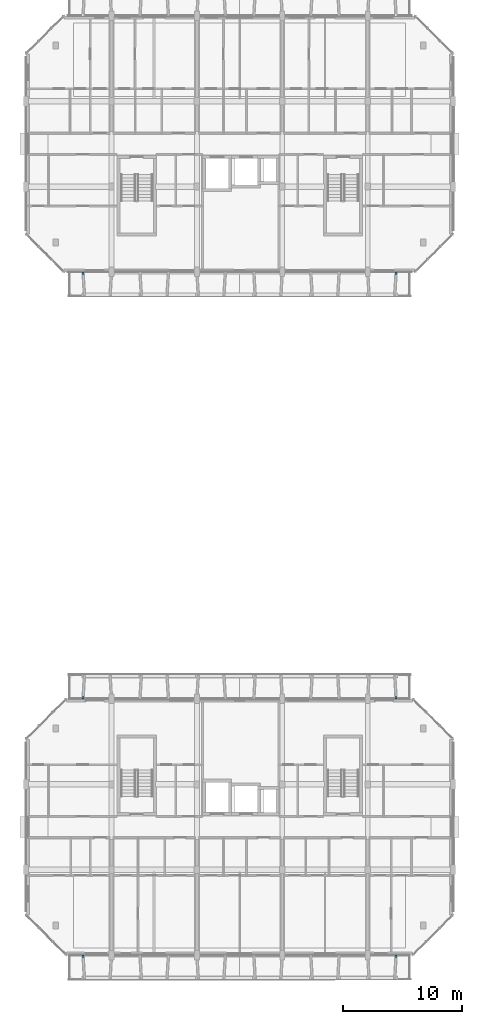
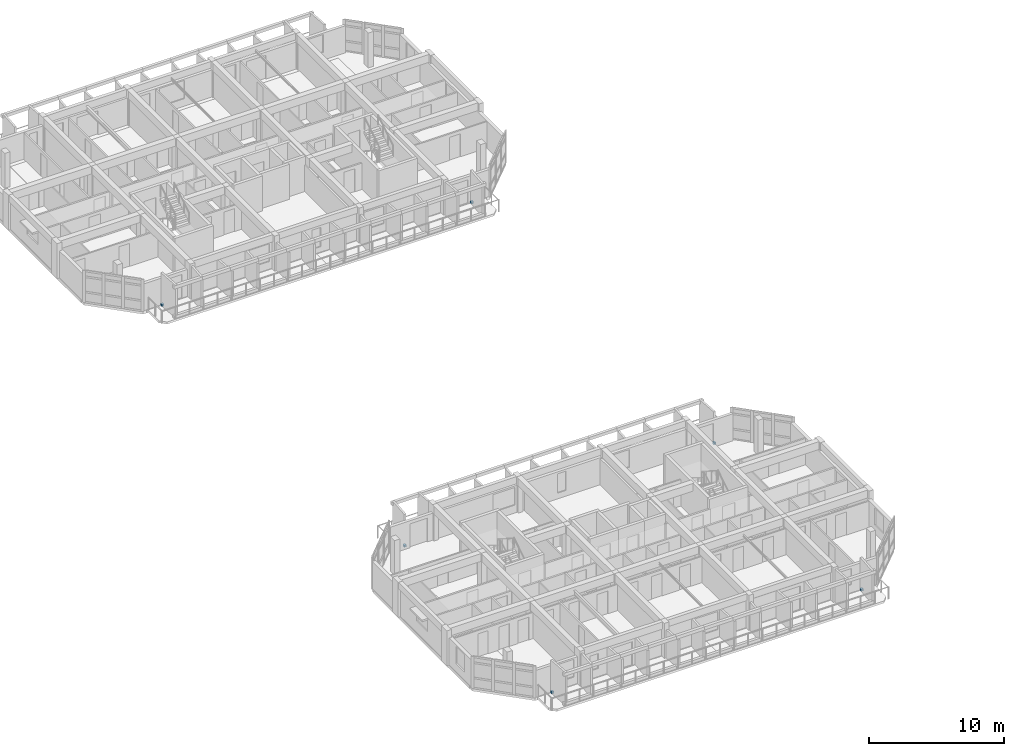
# One storey, part 30 of 44: 6 discrete accessories.
"""IFC4 building model written with IfcOpenShell, lengths in metres."""

from ifc_helpers import new_model, si_unit, direction, frame, origin, origin_2d, place, context, subcontext, project, spatial, rectangle, extrude, material, type_object, element, save


model = new_model("IFC4")

# Units and contexts
model_context = context("Model", 3, precision=1e-05, world=origin(), true_north=direction((0.0, 1.0)))
body_context = subcontext(model_context, "Body", "Model", "MODEL_VIEW")
ifc_project = project(units=[si_unit("LENGTHUNIT", "METRE"), si_unit("AREAUNIT", "SQUARE_METRE"), si_unit("VOLUMEUNIT", "CUBIC_METRE"), si_unit("PLANEANGLEUNIT", "RADIAN"), si_unit("MASSUNIT", "GRAM", prefix="KILO")], contexts=[model_context])

# Site, building, storey
site_placement = place(None, origin())
site = spatial("IfcSite", under=ifc_project, at=site_placement, CompositionType="ELEMENT")
building_placement = place(site_placement, origin())
building = spatial("IfcBuilding", under=site, at=building_placement, Name="Ochrevale Crest", CompositionType="ELEMENT")
storey_placement = place(building_placement, frame((0.0, 0.0, 21.300048828125)))
storey = spatial("IfcBuildingStorey", under=building, at=storey_placement, Name="L06", CompositionType="ELEMENT", Elevation=21.300048828125)

# Discrete accessories
ifc_material = material(Name="Galvanised steel", Category="steel")
discrete_accessory_type = type_object("IfcDiscreteAccessoryType", Name="ACC-BRK-HC", PredefinedType="BRACKET", material=ifc_material)
for number, where, z_axis, x_axis, name in (
    (1, (4.800048828125, 14.300048828125, 0.0), (0.0, 0.0, 1.0), (1.0, 0.0, 0.0), "Block A L06 precast loggia corbel bracket"),
    (2, (31.199951171875, 14.300048828125, 0.0), (0.0, 0.0, 1.0), (1.0, 0.0, 0.0), "Block A L06 precast loggia corbel bracket"),
    (3, (4.800048828125, 36.10009765625, 0.0), (0.0, 0.0, 1.0), (1.0, 0.0, 0.0), "Block A L06 precast loggia corbel bracket"),
    (4, (31.199951171875, 36.10009765625, 0.0), (0.0, 0.0, 1.0), (1.0, 0.0, 0.0), "Block A L06 precast loggia corbel bracket"),
    (5, (4.800048828125, 71.89990234375, 0.0), (0.0, 0.0, 1.0), (1.0, 0.0, 0.0), "Block B L06 precast loggia corbel bracket"),
    (6, (31.199951171875, 71.89990234375, 0.0), (0.0, 0.0, 1.0), (1.0, 0.0, 0.0), "Block B L06 precast loggia corbel bracket"),
):
    element("IfcDiscreteAccessory", number, at=place(storey_placement, frame(where, z_axis=z_axis, x_axis=x_axis)), inside=storey, type_object=discrete_accessory_type, Name=name, PredefinedType="BRACKET", context=body_context, shape_type="SweptSolid", body=[
        extrude(rectangle(XDim=0.179931640625, YDim=0.219970703125, at=origin_2d()), origin(), (0.0, 0.0, 1.0), 0.179931640625),
    ])

save(model, "model.ifc")
